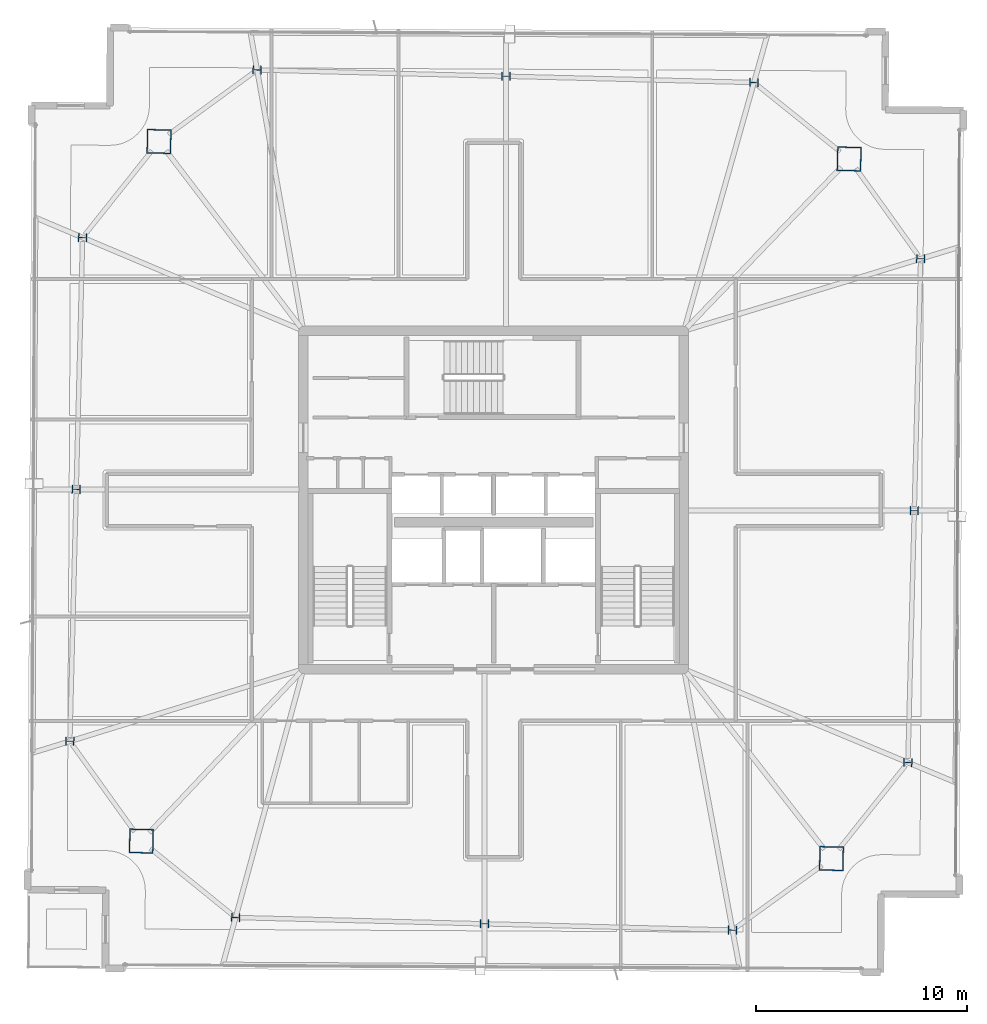
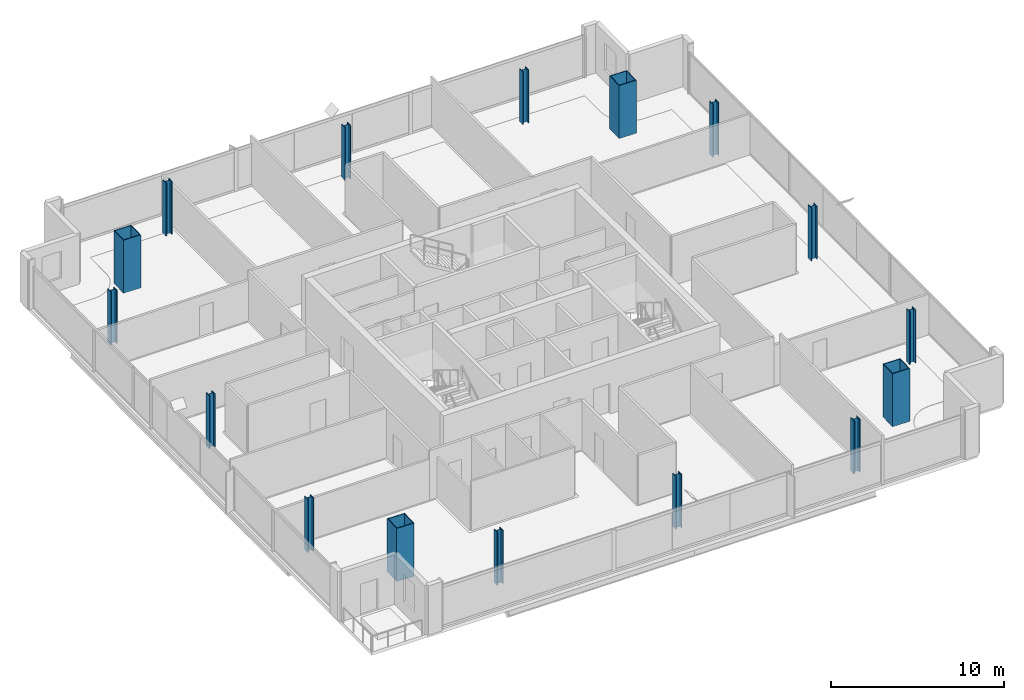
# One storey, part 1 of 24: 16 columns.
"""IFC4 building model written with IfcOpenShell, lengths in metres."""

from ifc_helpers import new_model, si_unit, direction, frame, origin, origin_2d, place, context, subcontext, project, spatial, hollow_rectangle, i_section, extrude, material, material_profile, profile_set, type_object, element, save


model = new_model("IFC4")

# Units and contexts
model_context = context("Model", 3, precision=1e-05, world=origin(), true_north=direction((0.0, 1.0)))
body_context = subcontext(model_context, "Body", "Model", "MODEL_VIEW")
ifc_project = project(units=[si_unit("LENGTHUNIT", "METRE"), si_unit("AREAUNIT", "SQUARE_METRE"), si_unit("VOLUMEUNIT", "CUBIC_METRE"), si_unit("PLANEANGLEUNIT", "RADIAN"), si_unit("MASSUNIT", "GRAM", prefix="KILO")], contexts=[model_context])

# Site, building, storey
site_placement = place(None, origin())
site = spatial("IfcSite", under=ifc_project, at=site_placement, CompositionType="ELEMENT")
building_placement = place(site_placement, origin())
building = spatial("IfcBuilding", under=site, at=building_placement, Name="Haldenkirk Collegiate Tower", CompositionType="ELEMENT")
storey_placement = place(building_placement, frame((0.0, 0.0, 328.949951171875)))
storey = spatial("IfcBuildingStorey", under=building, at=storey_placement, Name="L83", CompositionType="ELEMENT", Elevation=328.949951171875)

# Columns
ifc_material_1 = material(Name="Steel ASTM A913 Grade 65", Category="steel")
ifc_material_profile_1 = material_profile(ifc_material_1, i_section(OverallWidth=0.406005859375, OverallDepth=0.416015625, WebThickness=0.02978515625, FlangeThickness=0.048095703125, at=origin_2d()), Name="W14X257")
ifc_profile_set_1 = profile_set([ifc_material_profile_1], Name="Steel ASTM A913 Grade 65")
column_type_1 = type_object("IfcColumnType", Name="COL-INT-W14X257", PredefinedType="COLUMN", material=ifc_profile_set_1)
for number, where, z_axis, x_axis, name in (
    (1, (55.592041015625, 13.584228515625, 0.0), (0.0, 0.0, 1.0), (0.025304572866, 0.999679788028, 0.0), "L83 perimeter gravity column PC-S1"),
    (2, (55.8935546875, 25.496337890625, 0.0), (0.0, 0.0, 1.0), (0.025304572866, 0.999679788028, 0.0), "L83 perimeter gravity column PC-S2"),
    (3, (56.1953125, 37.40869140625, 0.0), (0.0, 0.0, 1.0), (0.025304572866, 0.999679788028, 0.0), "L83 perimeter gravity column PC-S3"),
    (4, (48.3115234375, 45.744873046875, 0.0), (0.0, 0.0, 1.0), (0.025304572866, 0.999679788028, 0.0), "L83 perimeter gravity column PC-E1"),
    (5, (36.582275390625, 46.041748046875, 0.0), (0.0, 0.0, 1.0), (0.025304572866, 0.999679788028, 0.0), "L83 perimeter gravity column PC-E2"),
    (6, (24.81103515625, 46.339599609375, 0.0), (0.0, 0.0, 1.0), (0.025304572866, 0.999679788028, 0.0), "L83 perimeter gravity column PC-E3"),
    (7, (16.557861328125, 38.411865234375, 0.0), (0.0, 0.0, 1.0), (0.025304572866, 0.999679788028, 0.0), "L83 perimeter gravity column PC-N1"),
    (8, (16.25634765625, 26.499755859375, 0.0), (0.0, 0.0, 1.0), (0.025304572866, 0.999679788028, 0.0), "L83 perimeter gravity column PC-N2"),
    (9, (15.954833984375, 14.587646484375, 0.0), (0.0, 0.0, 1.0), (0.025304572866, 0.999679788028, 0.0), "L83 perimeter gravity column PC-N3"),
    (10, (23.79638671875, 6.25244140625, 0.0), (0.0, 0.0, 1.0), (0.025304572866, 0.999679788028, 0.0), "L83 perimeter gravity column PC-W1"),
    (11, (35.567626953125, 5.95458984375, 0.0), (0.0, 0.0, 1.0), (0.025304572866, 0.999679788028, 0.0), "L83 perimeter gravity column PC-W2"),
    (12, (47.296875, 5.65771484375, 0.0), (0.0, 0.0, 1.0), (0.025304572866, 0.999679788028, 0.0), "L83 perimeter gravity column PC-W3"),
):
    element("IfcColumn", number, at=place(storey_placement, frame(where, z_axis=z_axis, x_axis=x_axis)), inside=storey, type_object=column_type_1, Name=name, PredefinedType="COLUMN", context=body_context, shape_type="SweptSolid", body=[
        extrude(i_section(OverallWidth=0.406005859375, OverallDepth=0.416015625, WebThickness=0.02978515625, FlangeThickness=0.048095703125, at=origin_2d()), origin(), (0.0, 0.0, 1.0), 3.75),
    ])
ifc_material_2 = material(Name="Steel ASTM A572 Grade 50", Category="steel")
ifc_material_profile_2 = material_profile(ifc_material_2, hollow_rectangle(XDim=1.14990234375, YDim=1.14990234375, WallThickness=0.050048828125, at=origin_2d()), Name="BOX1150X1150X50")
ifc_profile_set_2 = profile_set([ifc_material_profile_2], Name="Steel ASTM A572 Grade 50")
column_type_2 = type_object("IfcColumnType", Name="COL-MEGA-BOX1150X1150X50", PredefinedType="COLUMN", material=ifc_profile_set_2)
for number, where, z_axis, x_axis, name in (
    (13, (51.97607421875, 9.040283203125, 0.0), (0.0, 0.0, 1.0), (0.025304572866, 0.999679788028, 0.0), "L83 corner mega-column MC1"),
    (14, (52.8134765625, 42.129638671875, 0.0), (0.0, 0.0, 1.0), (0.025304572866, 0.999679788028, 0.0), "L83 corner mega-column MC2"),
    (15, (20.174072265625, 42.955810546875, 0.0), (0.0, 0.0, 1.0), (0.025304572866, 0.999679788028, 0.0), "L83 corner mega-column MC3"),
    (16, (19.33642578125, 9.866455078125, 0.0), (0.0, 0.0, 1.0), (0.025304572866, 0.999679788028, 0.0), "L83 corner mega-column MC4"),
):
    element("IfcColumn", number, at=place(storey_placement, frame(where, z_axis=z_axis, x_axis=x_axis)), inside=storey, type_object=column_type_2, Name=name, PredefinedType="COLUMN", context=body_context, shape_type="SweptSolid", body=[
        extrude(hollow_rectangle(XDim=1.14990234375, YDim=1.14990234375, WallThickness=0.050048828125, at=origin_2d()), origin(), (0.0, 0.0, 1.0), 3.75),
    ])

save(model, "model.ifc")
